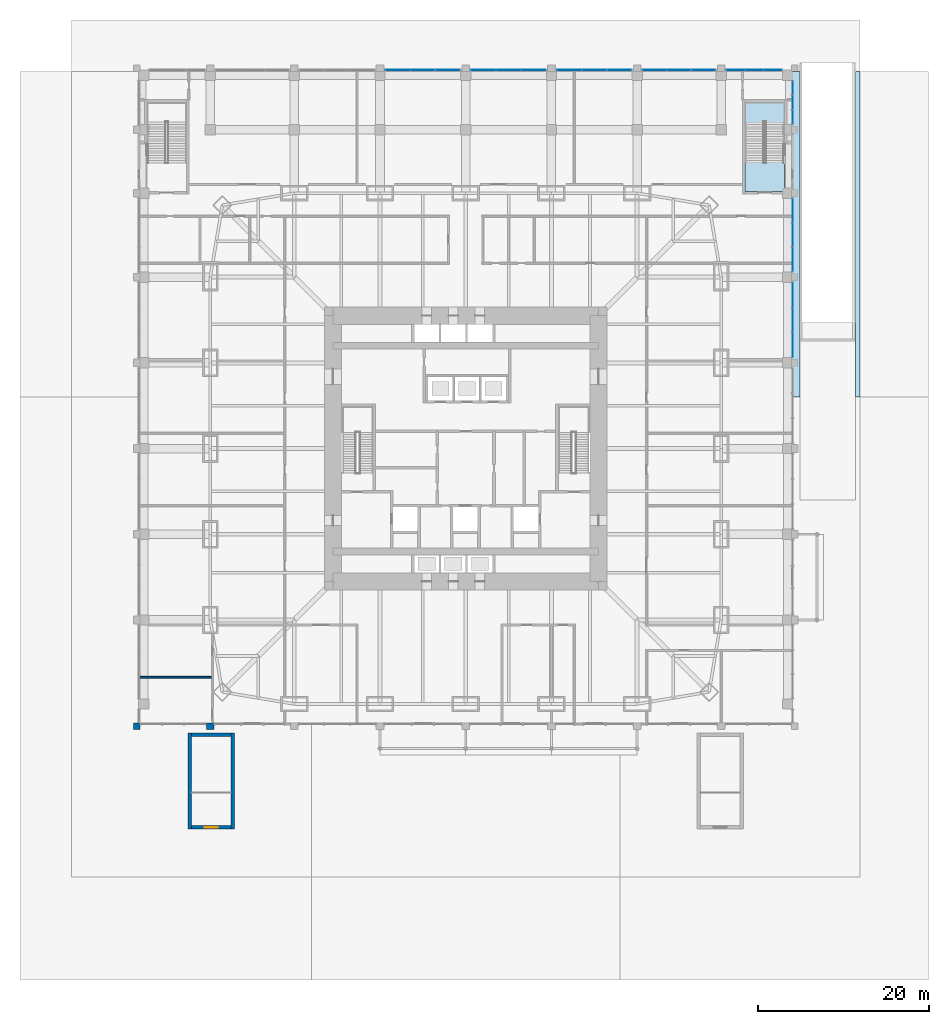
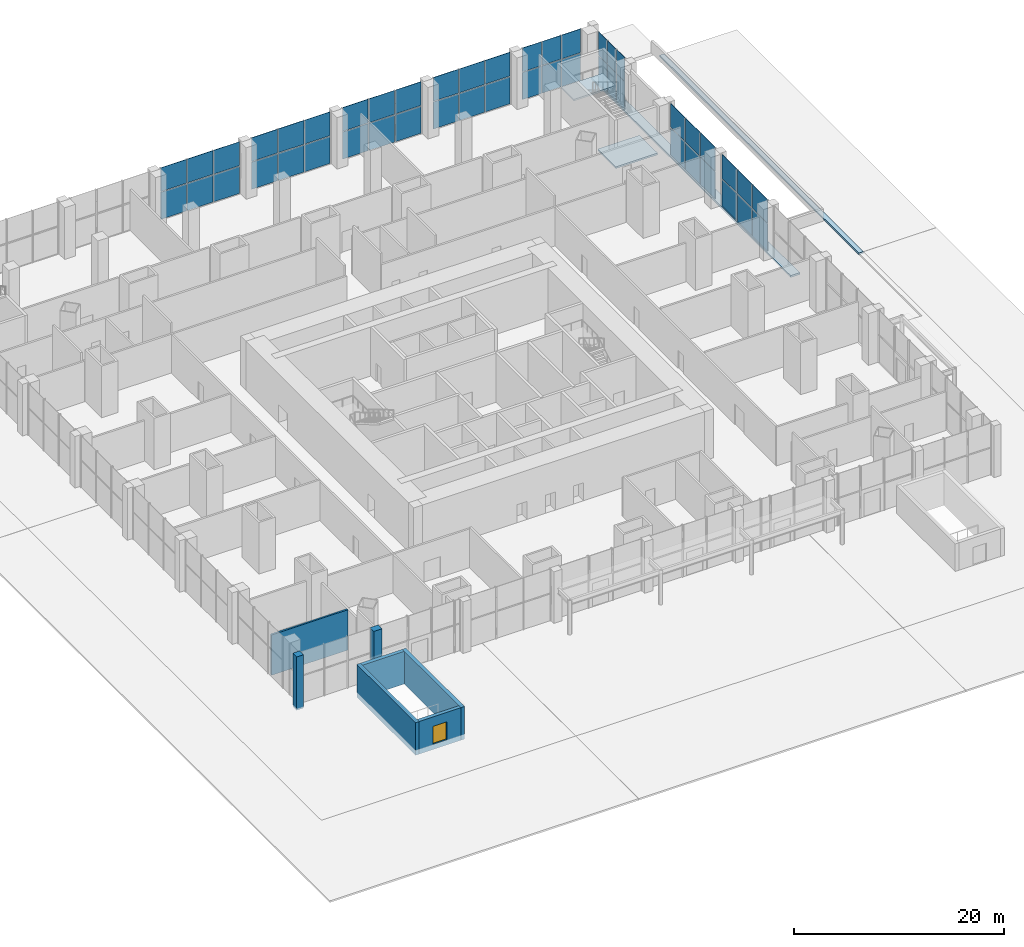
# One storey, part 21 of 31: 48 plates, 7 walls, 4 slabs, 1 door, 1 opening, 9 elements without a shape of their own.
"""IFC4 building model written with IfcOpenShell, lengths in metres."""

import ifcopenshell
import ifcopenshell.guid

model = None  # the IFC model being written
_history = None  # IfcOwnerHistory: only IFC2X3 demands one
_inside = {}  # id of a spatial element -> (the spatial element, [elements in it])
_under = {}  # id of a project, library or spatial element -> (it, [spatial elements below it])
_declared = {}  # id of a project -> (the project, [libraries it declares])
_typed = {}  # id of a type object -> (the type object, [elements of that type])
_made_of = {}  # id of a material, layer set ... -> (it, [elements and type objects made of it])


def new_model(schema):
    """Start an empty IFC model of exactly this schema.

    Asked for "IFC4X3", IfcOpenShell would pick the latest addendum, in which some entities
    have other attributes; the version numbers below select the first issue.
    IFC2X3 requires an IfcOwnerHistory on every rooted entity: one is made here for all.
    """
    global model, _history
    if schema == "IFC4X3":
        model = ifcopenshell.file(schema_version=(4, 3, 0, 0))
    else:
        model = ifcopenshell.file(schema=schema)
    _inside.clear()
    _under.clear()
    _declared.clear()
    _typed.clear()
    _made_of.clear()
    _history = None
    if model.schema == "IFC2X3":
        org = make("IfcOrganization", Name="unknown")
        user = make(
            "IfcPersonAndOrganization",
            ThePerson=make("IfcPerson", FamilyName="unknown"),
            TheOrganization=org,
        )
        app = make(
            "IfcApplication",
            ApplicationDeveloper=org,
            Version="unknown",
            ApplicationFullName="unknown",
            ApplicationIdentifier="unknown",
        )
        _history = make(
            "IfcOwnerHistory",
            OwningUser=user,
            OwningApplication=app,
            ChangeAction="ADDED",
            CreationDate=0,
        )
    return model


def make(cls, **values):
    """One entity of the class cls with the attributes given. An attribute that is None is left unset."""
    return model.create_entity(
        cls, **{name: value for name, value in values.items() if value is not None}
    )


def rooted(cls, **values):
    """An entity with a GlobalId (a new one), such as an element, a storey or a relation."""
    return make(cls, GlobalId=ifcopenshell.guid.new(), OwnerHistory=_history, **values)


def si_unit(unit_type, name, prefix=None):
    """IfcSIUnit, for example si_unit("LENGTHUNIT", "METRE", prefix="MILLI")."""
    return make("IfcSIUnit", UnitType=unit_type, Prefix=prefix, Name=name)


def assignment(units):
    """IfcUnitAssignment: the units of a project."""
    return None if units is None else make("IfcUnitAssignment", Units=units)


def point(xyz):
    """IfcCartesianPoint."""
    return None if xyz is None else make("IfcCartesianPoint", Coordinates=xyz)


def direction(xyz):
    """IfcDirection."""
    return None if xyz is None else make("IfcDirection", DirectionRatios=xyz)


def frame(location, z_axis=None, x_axis=None):
    """IfcAxis2Placement3D, a coordinate frame: its origin and axes. An axis left out is left unset."""
    return make(
        "IfcAxis2Placement3D",
        Location=point(location),
        Axis=direction(z_axis),
        RefDirection=direction(x_axis),
    )


def frame_2d(location, x_axis=None):
    """IfcAxis2Placement2D, a coordinate frame in the plane: its origin and x axis."""
    return make(
        "IfcAxis2Placement2D", Location=point(location), RefDirection=direction(x_axis)
    )


def origin():
    """The frame at (0, 0, 0) with its axes left unset."""
    return frame((0.0, 0.0, 0.0))


def origin_2d():
    """The frame at (0, 0) in the plane with its x axis left unset."""
    return frame_2d((0.0, 0.0))


def place(relative_to, where):
    """IfcLocalPlacement: puts the frame where relative to a parent placement (None: the world)."""
    return make(
        "IfcLocalPlacement", PlacementRelTo=relative_to, RelativePlacement=where
    )


def context(
    kind, dimensions, precision=None, world=None, true_north=None, identifier=None
):
    """IfcGeometricRepresentationContext, for example the 3D "Model" context."""
    return make(
        "IfcGeometricRepresentationContext",
        ContextIdentifier=identifier,
        ContextType=kind,
        CoordinateSpaceDimension=dimensions,
        Precision=precision,
        WorldCoordinateSystem=world,
        TrueNorth=true_north,
    )


def subcontext(parent, identifier, kind, view, scale=None):
    """IfcGeometricRepresentationSubContext, for example "Body" below "Model"."""
    return make(
        "IfcGeometricRepresentationSubContext",
        ContextIdentifier=identifier,
        ContextType=kind,
        ParentContext=parent,
        TargetScale=scale,
        TargetView=view,
    )


def project(units=None, contexts=None):
    """IfcProject with its units and contexts."""
    return rooted(
        "IfcProject",
        Name="project",
        RepresentationContexts=contexts,
        UnitsInContext=assignment(units),
    )


def spatial(cls, under=None, at=None, **own):
    """A site, building, storey or space (cls), placed at a placement, below another one or the project."""
    s = rooted(cls, ObjectPlacement=at, **own)
    if under is not None:
        _under.setdefault(under.id(), (under, []))[1].append(s)
    return s


def polyline(points):
    """IfcPolyline through the points."""
    return make("IfcPolyline", Points=[point(p) for p in points])


def profile(cls, at=None, kind="AREA", **sizes):
    """A parametric profile (cls). Its sizes go by their IFC names, for example OverallWidth=200.0."""
    return make(cls, ProfileType=kind, Position=at, **sizes)


def rectangle(**sizes):
    """IfcRectangleProfileDef."""
    return profile("IfcRectangleProfileDef", **sizes)


def outline(outer, holes=None, kind="AREA"):
    """IfcArbitraryClosedProfileDef: a profile drawn as a closed curve; with holes, ...WithVoids."""
    if holes is None:
        return make("IfcArbitraryClosedProfileDef", ProfileType=kind, OuterCurve=outer)
    return make(
        "IfcArbitraryProfileDefWithVoids",
        ProfileType=kind,
        OuterCurve=outer,
        InnerCurves=holes,
    )


def extrude(swept, where, along, depth):
    """IfcExtrudedAreaSolid: the profile swept, set in the frame where, extruded along a direction by depth."""
    return make(
        "IfcExtrudedAreaSolid",
        SweptArea=swept,
        Position=where,
        ExtrudedDirection=direction(along),
        Depth=depth,
    )


def shape(context_of_items, identifier, shape_type, items):
    """IfcShapeRepresentation: the items that make up one representation, for example the "Body"."""
    return make(
        "IfcShapeRepresentation",
        ContextOfItems=context_of_items,
        RepresentationIdentifier=identifier,
        RepresentationType=shape_type,
        Items=items,
    )


def material(Name=None, Category=None):
    """IfcMaterial."""
    return make("IfcMaterial", Name=Name, Category=Category)


def layer(
    of_material, thickness, ventilated=None, Name=None, Category=None, Priority=None
):
    """IfcMaterialLayer: one layer of a wall or slab, of a material (None: an air gap)."""
    return make(
        "IfcMaterialLayer",
        Material=of_material,
        LayerThickness=thickness,
        IsVentilated=ventilated,
        Name=Name,
        Category=Category,
        Priority=Priority,
    )


def layer_set(layers, Name=None):
    """IfcMaterialLayerSet."""
    return make("IfcMaterialLayerSet", MaterialLayers=layers, LayerSetName=Name)


def made_of(thing, what):
    """Note that an element or type object is made of a material, layer set ...; save() writes the relation."""
    if what is not None:
        _made_of.setdefault(what.id(), (what, []))[1].append(thing)
    return thing


def type_object(cls, material=None, **own):
    """A type object (cls), such as IfcWallType, which elements share."""
    return made_of(rooted(cls, **own), material)


def element(
    cls,
    number,
    at=None,
    inside=None,
    cuts=None,
    type_object=None,
    material=None,
    context=None,
    identifier="Body",
    shape_type=None,
    held_by="IfcProductDefinitionShape",
    body=None,
    shapes=None,
    **own,
):
    """One element of the class cls, such as IfcWall. Its Tag is "e" and its number.

    at: its placement. inside: the storey or other place that contains it. cuts: it is an
    opening in that element (IfcRelVoidsElement). A single representation is given by context,
    identifier, shape_type and body (its items); several are given by shapes. held_by: the class
    of the entity that holds the representations. save() writes the other relations.
    """
    e = rooted(cls, Tag="e%d" % number, ObjectPlacement=at, **own)
    if body is not None:
        shapes = [shape(context, identifier, shape_type, body)]
    if shapes is not None:
        e.Representation = make(held_by, Representations=shapes)
    if inside is not None:
        _inside.setdefault(inside.id(), (inside, []))[1].append(e)
    if cuts is not None:
        rooted(
            "IfcRelVoidsElement", RelatingBuildingElement=cuts, RelatedOpeningElement=e
        )
    if type_object is not None:
        _typed.setdefault(type_object.id(), (type_object, []))[1].append(e)
    return made_of(e, material)


def fill(opening, filler):
    """IfcRelFillsElement: the door or window that sits in an opening."""
    return rooted(
        "IfcRelFillsElement",
        RelatingOpeningElement=opening,
        RelatedBuildingElement=filler,
    )


def aggregate(whole, parts):
    """IfcRelAggregates: a whole, such as a stair, and the parts it consists of."""
    return rooted("IfcRelAggregates", RelatingObject=whole, RelatedObjects=parts)


def save(model, path):
    """Write the relations noted so far, then the file.

    IfcRelAggregates (storeys below a building ...), IfcRelContainedInSpatialStructure (elements
    in a storey), IfcRelDefinesByType, IfcRelAssociatesMaterial and IfcRelDeclares: one each for
    every whole, place, type object, material and project.
    """
    for whole, parts in _under.values():
        aggregate(whole, parts)
    for where, things in _inside.values():
        rooted(
            "IfcRelContainedInSpatialStructure",
            RelatedElements=things,
            RelatingStructure=where,
        )
    for kind, things in _typed.values():
        rooted("IfcRelDefinesByType", RelatedObjects=things, RelatingType=kind)
    for what, things in _made_of.values():
        rooted("IfcRelAssociatesMaterial", RelatedObjects=things, RelatingMaterial=what)
    for by, libraries in _declared.values():
        rooted("IfcRelDeclares", RelatingContext=by, RelatedDefinitions=libraries)
    model.write(path)


model = new_model("IFC4")

# Units and contexts
model_context = context("Model", 3, precision=1e-05, world=origin(), true_north=direction((0.0, 1.0)))
body_context = subcontext(model_context, "Body", "Model", "MODEL_VIEW")
ifc_project = project(units=[si_unit("LENGTHUNIT", "METRE"), si_unit("AREAUNIT", "SQUARE_METRE"), si_unit("VOLUMEUNIT", "CUBIC_METRE"), si_unit("PLANEANGLEUNIT", "RADIAN"), si_unit("MASSUNIT", "GRAM", prefix="KILO")], contexts=[model_context])

# Site, building, storey
site_placement = place(None, origin())
site = spatial("IfcSite", under=ifc_project, at=site_placement, CompositionType="ELEMENT")
building_placement = place(site_placement, origin())
building = spatial("IfcBuilding", under=site, at=building_placement, Name="Khuree Lantern Residences", CompositionType="ELEMENT")
storey_placement = place(building_placement, origin())
storey = spatial("IfcBuildingStorey", under=building, at=storey_placement, Name="L00", CompositionType="ELEMENT", Elevation=0.0)

# Slabs
ifc_material_1 = material(Name="Flamed granite setts on pedestals over the deck", Category="masonry")
ifc_layer_1 = layer(ifc_material_1, 0.199951171875)
ifc_layer_set_1 = layer_set([ifc_layer_1], Name="PLAZA PAVING")
slab_type_1 = type_object("IfcSlabType", Name="PLAZA PAVING", PredefinedType="USERDEFINED", material=ifc_layer_set_1)
slab_1_placement = place(storey_placement, frame((0.0, 0.0, -0.199951171875)))
element("IfcSlab", 1, at=slab_1_placement, inside=storey, type_object=slab_type_1, Name="PLAZA PAVING BAY 5", ObjectType="PAVING", PredefinedType="USERDEFINED", context=body_context, shape_type="SweptSolid", body=[
    extrude(outline(polyline([(38.0, 44.0), (39.0, 44.0), (39.0, 6.0048828125), (38.0, 6.0048828125), (38.0, 44.0)])), origin(), (0.0, 0.0, 1.0), 0.199951171875),
])
slab_2_placement = place(storey_placement, frame((0.0, 0.0, -0.199951171875)))
element("IfcSlab", 2, at=slab_2_placement, inside=storey, type_object=slab_type_1, Name="PLAZA PAVING BAY 6", ObjectType="PAVING", PredefinedType="USERDEFINED", context=body_context, shape_type="SweptSolid", body=[
    extrude(outline(polyline([(45.5, 44.0), (46.0, 44.0), (46.0, 6.0048828125), (45.5, 6.0048828125), (45.5, 44.0)])), origin(), (0.0, 0.0, 1.0), 0.199951171875),
])

# Stair, slabs
ifc_material_2 = material(Name="Concrete C40/50", Category="concrete")
stair_type = type_object("IfcStairType", Name="STAIR ST3 HALF TURN 4600", PredefinedType="HALF_TURN_STAIR", material=ifc_material_2)
stair_placement = place(storey_placement, origin())
stair = element("IfcStair", 3, at=stair_placement, inside=storey, type_object=stair_type, Name="Stair ST4", PredefinedType="HALF_TURN_STAIR")
ifc_layer_2 = layer(ifc_material_2, 0.199951171875)
ifc_layer_set_2 = layer_set([ifc_layer_2], Name="STAIR LANDING SL1 200")
slab_type_2 = type_object("IfcSlabType", Name="STAIR LANDING SL1 200", PredefinedType="LANDING", material=ifc_layer_set_2)
slab_3_placement = place(storey_placement, frame((0.0, 0.0, -0.199951171875)))
slab_3 = element("IfcSlab", 4, at=slab_3_placement, type_object=slab_type_2, Name="ST4 landing 1", PredefinedType="LANDING", context=body_context, shape_type="SweptSolid", body=[
    extrude(outline(polyline([(32.60009765625, 30.0), (37.199951171875, 30.0), (37.199951171875, 33.43994140625), (32.60009765625, 33.43994140625), (32.60009765625, 30.0)])), origin(), (0.0, 0.0, 1.0), 0.199951171875),
])
slab_4_placement = place(storey_placement, frame((0.0, 0.0, 2.800048828125)))
slab_4 = element("IfcSlab", 5, at=slab_4_placement, type_object=slab_type_2, Name="ST4 landing 2", PredefinedType="LANDING", context=body_context, shape_type="SweptSolid", body=[
    extrude(outline(polyline([(37.199951171875, 40.39990234375), (37.199951171875, 38.0), (32.60009765625, 38.0), (32.60009765625, 40.39990234375), (37.199951171875, 40.39990234375)])), origin(), (0.0, 0.0, 1.0), 0.199951171875),
])
aggregate(stair, [slab_3, slab_4])

# Curtain wall, plates
ifc_material_3 = material(Name="Bronze anodised aluminium", Category="aluminium")
curtain_wall_type = type_object("IfcCurtainWallType", Name="CW-P PODIUM STOREFRONT CURTAIN WALL", PredefinedType="USERDEFINED", material=ifc_material_3)
curtain_wall_1_placement = place(storey_placement, origin())
curtain_wall_1 = element("IfcCurtainWall", 6, at=curtain_wall_1_placement, inside=storey, type_object=curtain_wall_type, Name="L00 EAST FACE BAY 5 STOREFRONT", ObjectType="Storefront curtain wall", PredefinedType="USERDEFINED")
ifc_material_4 = material(Name="Bronze tinted laminated triple glazing", Category="glass")
ifc_layer_3 = layer(ifc_material_4, 0.0400390625)
ifc_layer_set_3 = layer_set([ifc_layer_3], Name="STOREFRONT GLASS PANEL P9")
plate_type = type_object("IfcPlateType", Name="STOREFRONT GLASS PANEL P9", PredefinedType="CURTAIN_PANEL", material=ifc_layer_set_3)
plate_1_placement = place(storey_placement, frame((38.14990234375, 12.091552734375, 0.0), z_axis=(0.0, 0.0, 1.0), x_axis=(0.0, 1.0, 0.0)))
plate_1 = element("IfcPlate", 7, at=plate_1_placement, type_object=plate_type, Name="L00 EAST FACE BAY 5 PANEL 1.1", PredefinedType="CURTAIN_PANEL", context=body_context, shape_type="SweptSolid", body=[
    extrude(rectangle(XDim=2.833251953125, YDim=0.0400390625, at=origin_2d()), origin(), (0.0, 0.0, 1.0), 3.16259765625),
])
plate_2_placement = place(storey_placement, frame((38.14990234375, 12.091552734375, 3.2373046875), z_axis=(0.0, 0.0, 1.0), x_axis=(0.0, 1.0, 0.0)))
plate_2 = element("IfcPlate", 8, at=plate_2_placement, type_object=plate_type, Name="L00 EAST FACE BAY 5 PANEL 1.2", PredefinedType="CURTAIN_PANEL", context=body_context, shape_type="SweptSolid", body=[
    extrude(rectangle(XDim=2.833251953125, YDim=0.0400390625, at=origin_2d()), origin(), (0.0, 0.0, 1.0), 2.762451171875),
])
plate_3_placement = place(storey_placement, frame((38.14990234375, 15.0, 0.0), z_axis=(0.0, 0.0, 1.0), x_axis=(0.0, 1.0, 0.0)))
plate_3 = element("IfcPlate", 9, at=plate_3_placement, type_object=plate_type, Name="L00 EAST FACE BAY 5 PANEL 2.1", PredefinedType="CURTAIN_PANEL", context=body_context, shape_type="SweptSolid", body=[
    extrude(rectangle(XDim=2.833251953125, YDim=0.0400390625, at=origin_2d()), origin(), (0.0, 0.0, 1.0), 3.16259765625),
])
plate_4_placement = place(storey_placement, frame((38.14990234375, 15.0, 3.2373046875), z_axis=(0.0, 0.0, 1.0), x_axis=(0.0, 1.0, 0.0)))
plate_4 = element("IfcPlate", 10, at=plate_4_placement, type_object=plate_type, Name="L00 EAST FACE BAY 5 PANEL 2.2", PredefinedType="CURTAIN_PANEL", context=body_context, shape_type="SweptSolid", body=[
    extrude(rectangle(XDim=2.833251953125, YDim=0.0400390625, at=origin_2d()), origin(), (0.0, 0.0, 1.0), 2.762451171875),
])
plate_5_placement = place(storey_placement, frame((38.14990234375, 17.908447265625, 0.0), z_axis=(0.0, 0.0, 1.0), x_axis=(0.0, 1.0, 0.0)))
plate_5 = element("IfcPlate", 11, at=plate_5_placement, type_object=plate_type, Name="L00 EAST FACE BAY 5 PANEL 3.1", PredefinedType="CURTAIN_PANEL", context=body_context, shape_type="SweptSolid", body=[
    extrude(rectangle(XDim=2.833251953125, YDim=0.0400390625, at=origin_2d()), origin(), (0.0, 0.0, 1.0), 3.16259765625),
])
plate_6_placement = place(storey_placement, frame((38.14990234375, 17.908447265625, 3.2373046875), z_axis=(0.0, 0.0, 1.0), x_axis=(0.0, 1.0, 0.0)))
plate_6 = element("IfcPlate", 12, at=plate_6_placement, type_object=plate_type, Name="L00 EAST FACE BAY 5 PANEL 3.2", PredefinedType="CURTAIN_PANEL", context=body_context, shape_type="SweptSolid", body=[
    extrude(rectangle(XDim=2.833251953125, YDim=0.0400390625, at=origin_2d()), origin(), (0.0, 0.0, 1.0), 2.762451171875),
])
aggregate(curtain_wall_1, [plate_1, plate_2, plate_3, plate_4, plate_5, plate_6])

curtain_wall_2_placement = place(storey_placement, origin())
curtain_wall_2 = element("IfcCurtainWall", 13, at=curtain_wall_2_placement, inside=storey, type_object=curtain_wall_type, Name="L00 EAST FACE BAY 6 STOREFRONT", ObjectType="Storefront curtain wall", PredefinedType="USERDEFINED")
plate_7_placement = place(storey_placement, frame((38.14990234375, 22.058349609375, 0.0), z_axis=(0.0, 0.0, 1.0), x_axis=(0.0, 1.0, 0.0)))
plate_7 = element("IfcPlate", 14, at=plate_7_placement, type_object=plate_type, Name="L00 EAST FACE BAY 6 PANEL 1.1", PredefinedType="CURTAIN_PANEL", context=body_context, shape_type="SweptSolid", body=[
    extrude(rectangle(XDim=2.7666015625, YDim=0.0400390625, at=origin_2d()), origin(), (0.0, 0.0, 1.0), 3.16259765625),
])
plate_8_placement = place(storey_placement, frame((38.14990234375, 22.058349609375, 3.2373046875), z_axis=(0.0, 0.0, 1.0), x_axis=(0.0, 1.0, 0.0)))
plate_8 = element("IfcPlate", 15, at=plate_8_placement, type_object=plate_type, Name="L00 EAST FACE BAY 6 PANEL 1.2", PredefinedType="CURTAIN_PANEL", context=body_context, shape_type="SweptSolid", body=[
    extrude(rectangle(XDim=2.7666015625, YDim=0.0400390625, at=origin_2d()), origin(), (0.0, 0.0, 1.0), 2.762451171875),
])
plate_9_placement = place(storey_placement, frame((38.14990234375, 24.89990234375, 0.0), z_axis=(0.0, 0.0, 1.0), x_axis=(0.0, 1.0, 0.0)))
plate_9 = element("IfcPlate", 16, at=plate_9_placement, type_object=plate_type, Name="L00 EAST FACE BAY 6 PANEL 2.1", PredefinedType="CURTAIN_PANEL", context=body_context, shape_type="SweptSolid", body=[
    extrude(rectangle(XDim=2.7666015625, YDim=0.0400390625, at=origin_2d()), origin(), (0.0, 0.0, 1.0), 3.16259765625),
])
plate_10_placement = place(storey_placement, frame((38.14990234375, 24.89990234375, 3.2373046875), z_axis=(0.0, 0.0, 1.0), x_axis=(0.0, 1.0, 0.0)))
plate_10 = element("IfcPlate", 17, at=plate_10_placement, type_object=plate_type, Name="L00 EAST FACE BAY 6 PANEL 2.2", PredefinedType="CURTAIN_PANEL", context=body_context, shape_type="SweptSolid", body=[
    extrude(rectangle(XDim=2.7666015625, YDim=0.0400390625, at=origin_2d()), origin(), (0.0, 0.0, 1.0), 2.762451171875),
])
plate_11_placement = place(storey_placement, frame((38.14990234375, 27.74169921875, 0.0), z_axis=(0.0, 0.0, 1.0), x_axis=(0.0, 1.0, 0.0)))
plate_11 = element("IfcPlate", 18, at=plate_11_placement, type_object=plate_type, Name="L00 EAST FACE BAY 6 PANEL 3.1", PredefinedType="CURTAIN_PANEL", context=body_context, shape_type="SweptSolid", body=[
    extrude(rectangle(XDim=2.7666015625, YDim=0.0400390625, at=origin_2d()), origin(), (0.0, 0.0, 1.0), 3.16259765625),
])
plate_12_placement = place(storey_placement, frame((38.14990234375, 27.74169921875, 3.2373046875), z_axis=(0.0, 0.0, 1.0), x_axis=(0.0, 1.0, 0.0)))
plate_12 = element("IfcPlate", 19, at=plate_12_placement, type_object=plate_type, Name="L00 EAST FACE BAY 6 PANEL 3.2", PredefinedType="CURTAIN_PANEL", context=body_context, shape_type="SweptSolid", body=[
    extrude(rectangle(XDim=2.7666015625, YDim=0.0400390625, at=origin_2d()), origin(), (0.0, 0.0, 1.0), 2.762451171875),
])
aggregate(curtain_wall_2, [plate_7, plate_8, plate_9, plate_10, plate_11, plate_12])

curtain_wall_3_placement = place(storey_placement, origin())
curtain_wall_3 = element("IfcCurtainWall", 20, at=curtain_wall_3_placement, inside=storey, type_object=curtain_wall_type, Name="L00 EAST FACE BAY 8 STOREFRONT", ObjectType="Storefront curtain wall", PredefinedType="USERDEFINED")
plate_13_placement = place(storey_placement, frame((38.14990234375, 38.683349609375, 0.0), z_axis=(0.0, 0.0, 1.0), x_axis=(0.0, 1.0, 0.0)))
plate_13 = element("IfcPlate", 21, at=plate_13_placement, type_object=plate_type, Name="L00 EAST FACE BAY 8 PANEL 1.1", PredefinedType="CURTAIN_PANEL", context=body_context, shape_type="SweptSolid", body=[
    extrude(rectangle(XDim=1.61669921875, YDim=0.0400390625, at=origin_2d()), origin(), (0.0, 0.0, 1.0), 3.16259765625),
])
plate_14_placement = place(storey_placement, frame((38.14990234375, 38.683349609375, 3.2373046875), z_axis=(0.0, 0.0, 1.0), x_axis=(0.0, 1.0, 0.0)))
plate_14 = element("IfcPlate", 22, at=plate_14_placement, type_object=plate_type, Name="L00 EAST FACE BAY 8 PANEL 1.2", PredefinedType="CURTAIN_PANEL", context=body_context, shape_type="SweptSolid", body=[
    extrude(rectangle(XDim=1.61669921875, YDim=0.0400390625, at=origin_2d()), origin(), (0.0, 0.0, 1.0), 2.762451171875),
])
plate_15_placement = place(storey_placement, frame((38.14990234375, 40.375, 0.0), z_axis=(0.0, 0.0, 1.0), x_axis=(0.0, 1.0, 0.0)))
plate_15 = element("IfcPlate", 23, at=plate_15_placement, type_object=plate_type, Name="L00 EAST FACE BAY 8 PANEL 2.1", PredefinedType="CURTAIN_PANEL", context=body_context, shape_type="SweptSolid", body=[
    extrude(rectangle(XDim=1.61669921875, YDim=0.0400390625, at=origin_2d()), origin(), (0.0, 0.0, 1.0), 3.16259765625),
])
plate_16_placement = place(storey_placement, frame((38.14990234375, 40.375, 3.2373046875), z_axis=(0.0, 0.0, 1.0), x_axis=(0.0, 1.0, 0.0)))
plate_16 = element("IfcPlate", 24, at=plate_16_placement, type_object=plate_type, Name="L00 EAST FACE BAY 8 PANEL 2.2", PredefinedType="CURTAIN_PANEL", context=body_context, shape_type="SweptSolid", body=[
    extrude(rectangle(XDim=1.61669921875, YDim=0.0400390625, at=origin_2d()), origin(), (0.0, 0.0, 1.0), 2.762451171875),
])
plate_17_placement = place(storey_placement, frame((38.14990234375, 42.066650390625, 0.0), z_axis=(0.0, 0.0, 1.0), x_axis=(0.0, 1.0, 0.0)))
plate_17 = element("IfcPlate", 25, at=plate_17_placement, type_object=plate_type, Name="L00 EAST FACE BAY 8 PANEL 3.1", PredefinedType="CURTAIN_PANEL", context=body_context, shape_type="SweptSolid", body=[
    extrude(rectangle(XDim=1.61669921875, YDim=0.0400390625, at=origin_2d()), origin(), (0.0, 0.0, 1.0), 3.16259765625),
])
plate_18_placement = place(storey_placement, frame((38.14990234375, 42.066650390625, 3.2373046875), z_axis=(0.0, 0.0, 1.0), x_axis=(0.0, 1.0, 0.0)))
plate_18 = element("IfcPlate", 26, at=plate_18_placement, type_object=plate_type, Name="L00 EAST FACE BAY 8 PANEL 3.2", PredefinedType="CURTAIN_PANEL", context=body_context, shape_type="SweptSolid", body=[
    extrude(rectangle(XDim=1.61669921875, YDim=0.0400390625, at=origin_2d()), origin(), (0.0, 0.0, 1.0), 2.762451171875),
])
aggregate(curtain_wall_3, [plate_13, plate_14, plate_15, plate_16, plate_17, plate_18])

curtain_wall_4_placement = place(storey_placement, origin())
curtain_wall_4 = element("IfcCurtainWall", 27, at=curtain_wall_4_placement, inside=storey, type_object=curtain_wall_type, Name="L00 NORTH FACE BAY 1 STOREFRONT", ObjectType="Storefront curtain wall", PredefinedType="USERDEFINED")
plate_19_placement = place(storey_placement, frame((35.833251953125, 44.14990234375, 0.0), z_axis=(0.0, 0.0, 1.0), x_axis=(-1.0, 0.0, 0.0)))
plate_19 = element("IfcPlate", 28, at=plate_19_placement, type_object=plate_type, Name="L00 NORTH FACE BAY 1 PANEL 1.1", PredefinedType="CURTAIN_PANEL", context=body_context, shape_type="SweptSolid", body=[
    extrude(rectangle(XDim=2.083251953125, YDim=0.0400390625, at=origin_2d()), origin(), (0.0, 0.0, 1.0), 3.16259765625),
])
plate_20_placement = place(storey_placement, frame((35.833251953125, 44.14990234375, 3.2373046875), z_axis=(0.0, 0.0, 1.0), x_axis=(-1.0, 0.0, 0.0)))
plate_20 = element("IfcPlate", 29, at=plate_20_placement, type_object=plate_type, Name="L00 NORTH FACE BAY 1 PANEL 1.2", PredefinedType="CURTAIN_PANEL", context=body_context, shape_type="SweptSolid", body=[
    extrude(rectangle(XDim=2.083251953125, YDim=0.0400390625, at=origin_2d()), origin(), (0.0, 0.0, 1.0), 2.762451171875),
])
plate_21_placement = place(storey_placement, frame((33.675048828125, 44.14990234375, 0.0), z_axis=(0.0, 0.0, 1.0), x_axis=(-1.0, 0.0, 0.0)))
plate_21 = element("IfcPlate", 30, at=plate_21_placement, type_object=plate_type, Name="L00 NORTH FACE BAY 1 PANEL 2.1", PredefinedType="CURTAIN_PANEL", context=body_context, shape_type="SweptSolid", body=[
    extrude(rectangle(XDim=2.083251953125, YDim=0.0400390625, at=origin_2d()), origin(), (0.0, 0.0, 1.0), 3.16259765625),
])
plate_22_placement = place(storey_placement, frame((33.675048828125, 44.14990234375, 3.2373046875), z_axis=(0.0, 0.0, 1.0), x_axis=(-1.0, 0.0, 0.0)))
plate_22 = element("IfcPlate", 31, at=plate_22_placement, type_object=plate_type, Name="L00 NORTH FACE BAY 1 PANEL 2.2", PredefinedType="CURTAIN_PANEL", context=body_context, shape_type="SweptSolid", body=[
    extrude(rectangle(XDim=2.083251953125, YDim=0.0400390625, at=origin_2d()), origin(), (0.0, 0.0, 1.0), 2.762451171875),
])
plate_23_placement = place(storey_placement, frame((31.5166015625, 44.14990234375, 0.0), z_axis=(0.0, 0.0, 1.0), x_axis=(-1.0, 0.0, 0.0)))
plate_23 = element("IfcPlate", 32, at=plate_23_placement, type_object=plate_type, Name="L00 NORTH FACE BAY 1 PANEL 3.1", PredefinedType="CURTAIN_PANEL", context=body_context, shape_type="SweptSolid", body=[
    extrude(rectangle(XDim=2.083251953125, YDim=0.0400390625, at=origin_2d()), origin(), (0.0, 0.0, 1.0), 3.16259765625),
])
plate_24_placement = place(storey_placement, frame((31.5166015625, 44.14990234375, 3.2373046875), z_axis=(0.0, 0.0, 1.0), x_axis=(-1.0, 0.0, 0.0)))
plate_24 = element("IfcPlate", 33, at=plate_24_placement, type_object=plate_type, Name="L00 NORTH FACE BAY 1 PANEL 3.2", PredefinedType="CURTAIN_PANEL", context=body_context, shape_type="SweptSolid", body=[
    extrude(rectangle(XDim=2.083251953125, YDim=0.0400390625, at=origin_2d()), origin(), (0.0, 0.0, 1.0), 2.762451171875),
])
aggregate(curtain_wall_4, [plate_19, plate_20, plate_21, plate_22, plate_23, plate_24])

curtain_wall_5_placement = place(storey_placement, origin())
curtain_wall_5 = element("IfcCurtainWall", 34, at=curtain_wall_5_placement, inside=storey, type_object=curtain_wall_type, Name="L00 NORTH FACE BAY 2 STOREFRONT", ObjectType="Storefront curtain wall", PredefinedType="USERDEFINED")
plate_25_placement = place(storey_placement, frame((27.74169921875, 44.14990234375, 0.0), z_axis=(0.0, 0.0, 1.0), x_axis=(-1.0, 0.0, 0.0)))
plate_25 = element("IfcPlate", 35, at=plate_25_placement, type_object=plate_type, Name="L00 NORTH FACE BAY 2 PANEL 1.1", PredefinedType="CURTAIN_PANEL", context=body_context, shape_type="SweptSolid", body=[
    extrude(rectangle(XDim=2.7666015625, YDim=0.0400390625, at=origin_2d()), origin(), (0.0, 0.0, 1.0), 3.16259765625),
])
plate_26_placement = place(storey_placement, frame((27.74169921875, 44.14990234375, 3.2373046875), z_axis=(0.0, 0.0, 1.0), x_axis=(-1.0, 0.0, 0.0)))
plate_26 = element("IfcPlate", 36, at=plate_26_placement, type_object=plate_type, Name="L00 NORTH FACE BAY 2 PANEL 1.2", PredefinedType="CURTAIN_PANEL", context=body_context, shape_type="SweptSolid", body=[
    extrude(rectangle(XDim=2.7666015625, YDim=0.0400390625, at=origin_2d()), origin(), (0.0, 0.0, 1.0), 2.762451171875),
])
plate_27_placement = place(storey_placement, frame((24.89990234375, 44.14990234375, 0.0), z_axis=(0.0, 0.0, 1.0), x_axis=(-1.0, 0.0, 0.0)))
plate_27 = element("IfcPlate", 37, at=plate_27_placement, type_object=plate_type, Name="L00 NORTH FACE BAY 2 PANEL 2.1", PredefinedType="CURTAIN_PANEL", context=body_context, shape_type="SweptSolid", body=[
    extrude(rectangle(XDim=2.7666015625, YDim=0.0400390625, at=origin_2d()), origin(), (0.0, 0.0, 1.0), 3.16259765625),
])
plate_28_placement = place(storey_placement, frame((24.89990234375, 44.14990234375, 3.2373046875), z_axis=(0.0, 0.0, 1.0), x_axis=(-1.0, 0.0, 0.0)))
plate_28 = element("IfcPlate", 38, at=plate_28_placement, type_object=plate_type, Name="L00 NORTH FACE BAY 2 PANEL 2.2", PredefinedType="CURTAIN_PANEL", context=body_context, shape_type="SweptSolid", body=[
    extrude(rectangle(XDim=2.7666015625, YDim=0.0400390625, at=origin_2d()), origin(), (0.0, 0.0, 1.0), 2.762451171875),
])
plate_29_placement = place(storey_placement, frame((22.058349609375, 44.14990234375, 0.0), z_axis=(0.0, 0.0, 1.0), x_axis=(-1.0, 0.0, 0.0)))
plate_29 = element("IfcPlate", 39, at=plate_29_placement, type_object=plate_type, Name="L00 NORTH FACE BAY 2 PANEL 3.1", PredefinedType="CURTAIN_PANEL", context=body_context, shape_type="SweptSolid", body=[
    extrude(rectangle(XDim=2.7666015625, YDim=0.0400390625, at=origin_2d()), origin(), (0.0, 0.0, 1.0), 3.16259765625),
])
plate_30_placement = place(storey_placement, frame((22.058349609375, 44.14990234375, 3.2373046875), z_axis=(0.0, 0.0, 1.0), x_axis=(-1.0, 0.0, 0.0)))
plate_30 = element("IfcPlate", 40, at=plate_30_placement, type_object=plate_type, Name="L00 NORTH FACE BAY 2 PANEL 3.2", PredefinedType="CURTAIN_PANEL", context=body_context, shape_type="SweptSolid", body=[
    extrude(rectangle(XDim=2.7666015625, YDim=0.0400390625, at=origin_2d()), origin(), (0.0, 0.0, 1.0), 2.762451171875),
])
aggregate(curtain_wall_5, [plate_25, plate_26, plate_27, plate_28, plate_29, plate_30])

curtain_wall_6_placement = place(storey_placement, origin())
curtain_wall_6 = element("IfcCurtainWall", 41, at=curtain_wall_6_placement, inside=storey, type_object=curtain_wall_type, Name="L00 NORTH FACE BAY 3 STOREFRONT", ObjectType="Storefront curtain wall", PredefinedType="USERDEFINED")
plate_31_placement = place(storey_placement, frame((17.908447265625, 44.14990234375, 0.0), z_axis=(0.0, 0.0, 1.0), x_axis=(-1.0, 0.0, 0.0)))
plate_31 = element("IfcPlate", 42, at=plate_31_placement, type_object=plate_type, Name="L00 NORTH FACE BAY 3 PANEL 1.1", PredefinedType="CURTAIN_PANEL", context=body_context, shape_type="SweptSolid", body=[
    extrude(rectangle(XDim=2.833251953125, YDim=0.0400390625, at=origin_2d()), origin(), (0.0, 0.0, 1.0), 3.16259765625),
])
plate_32_placement = place(storey_placement, frame((17.908447265625, 44.14990234375, 3.2373046875), z_axis=(0.0, 0.0, 1.0), x_axis=(-1.0, 0.0, 0.0)))
plate_32 = element("IfcPlate", 43, at=plate_32_placement, type_object=plate_type, Name="L00 NORTH FACE BAY 3 PANEL 1.2", PredefinedType="CURTAIN_PANEL", context=body_context, shape_type="SweptSolid", body=[
    extrude(rectangle(XDim=2.833251953125, YDim=0.0400390625, at=origin_2d()), origin(), (0.0, 0.0, 1.0), 2.762451171875),
])
plate_33_placement = place(storey_placement, frame((15.0, 44.14990234375, 0.0), z_axis=(0.0, 0.0, 1.0), x_axis=(-1.0, 0.0, 0.0)))
plate_33 = element("IfcPlate", 44, at=plate_33_placement, type_object=plate_type, Name="L00 NORTH FACE BAY 3 PANEL 2.1", PredefinedType="CURTAIN_PANEL", context=body_context, shape_type="SweptSolid", body=[
    extrude(rectangle(XDim=2.833251953125, YDim=0.0400390625, at=origin_2d()), origin(), (0.0, 0.0, 1.0), 3.16259765625),
])
plate_34_placement = place(storey_placement, frame((15.0, 44.14990234375, 3.2373046875), z_axis=(0.0, 0.0, 1.0), x_axis=(-1.0, 0.0, 0.0)))
plate_34 = element("IfcPlate", 45, at=plate_34_placement, type_object=plate_type, Name="L00 NORTH FACE BAY 3 PANEL 2.2", PredefinedType="CURTAIN_PANEL", context=body_context, shape_type="SweptSolid", body=[
    extrude(rectangle(XDim=2.833251953125, YDim=0.0400390625, at=origin_2d()), origin(), (0.0, 0.0, 1.0), 2.762451171875),
])
plate_35_placement = place(storey_placement, frame((12.091552734375, 44.14990234375, 0.0), z_axis=(0.0, 0.0, 1.0), x_axis=(-1.0, 0.0, 0.0)))
plate_35 = element("IfcPlate", 46, at=plate_35_placement, type_object=plate_type, Name="L00 NORTH FACE BAY 3 PANEL 3.1", PredefinedType="CURTAIN_PANEL", context=body_context, shape_type="SweptSolid", body=[
    extrude(rectangle(XDim=2.833251953125, YDim=0.0400390625, at=origin_2d()), origin(), (0.0, 0.0, 1.0), 3.16259765625),
])
plate_36_placement = place(storey_placement, frame((12.091552734375, 44.14990234375, 3.2373046875), z_axis=(0.0, 0.0, 1.0), x_axis=(-1.0, 0.0, 0.0)))
plate_36 = element("IfcPlate", 47, at=plate_36_placement, type_object=plate_type, Name="L00 NORTH FACE BAY 3 PANEL 3.2", PredefinedType="CURTAIN_PANEL", context=body_context, shape_type="SweptSolid", body=[
    extrude(rectangle(XDim=2.833251953125, YDim=0.0400390625, at=origin_2d()), origin(), (0.0, 0.0, 1.0), 2.762451171875),
])
aggregate(curtain_wall_6, [plate_31, plate_32, plate_33, plate_34, plate_35, plate_36])

curtain_wall_7_placement = place(storey_placement, origin())
curtain_wall_7 = element("IfcCurtainWall", 48, at=curtain_wall_7_placement, inside=storey, type_object=curtain_wall_type, Name="L00 NORTH FACE BAY 4 STOREFRONT", ObjectType="Storefront curtain wall", PredefinedType="USERDEFINED")
plate_37_placement = place(storey_placement, frame((7.908447265625, 44.14990234375, 0.0), z_axis=(0.0, 0.0, 1.0), x_axis=(-1.0, 0.0, 0.0)))
plate_37 = element("IfcPlate", 49, at=plate_37_placement, type_object=plate_type, Name="L00 NORTH FACE BAY 4 PANEL 1.1", PredefinedType="CURTAIN_PANEL", context=body_context, shape_type="SweptSolid", body=[
    extrude(rectangle(XDim=2.833251953125, YDim=0.0400390625, at=origin_2d()), origin(), (0.0, 0.0, 1.0), 3.16259765625),
])
plate_38_placement = place(storey_placement, frame((7.908447265625, 44.14990234375, 3.2373046875), z_axis=(0.0, 0.0, 1.0), x_axis=(-1.0, 0.0, 0.0)))
plate_38 = element("IfcPlate", 50, at=plate_38_placement, type_object=plate_type, Name="L00 NORTH FACE BAY 4 PANEL 1.2", PredefinedType="CURTAIN_PANEL", context=body_context, shape_type="SweptSolid", body=[
    extrude(rectangle(XDim=2.833251953125, YDim=0.0400390625, at=origin_2d()), origin(), (0.0, 0.0, 1.0), 2.762451171875),
])
plate_39_placement = place(storey_placement, frame((5.0, 44.14990234375, 0.0), z_axis=(0.0, 0.0, 1.0), x_axis=(-1.0, 0.0, 0.0)))
plate_39 = element("IfcPlate", 51, at=plate_39_placement, type_object=plate_type, Name="L00 NORTH FACE BAY 4 PANEL 2.1", PredefinedType="CURTAIN_PANEL", context=body_context, shape_type="SweptSolid", body=[
    extrude(rectangle(XDim=2.833251953125, YDim=0.0400390625, at=origin_2d()), origin(), (0.0, 0.0, 1.0), 3.16259765625),
])
plate_40_placement = place(storey_placement, frame((5.0, 44.14990234375, 3.2373046875), z_axis=(0.0, 0.0, 1.0), x_axis=(-1.0, 0.0, 0.0)))
plate_40 = element("IfcPlate", 52, at=plate_40_placement, type_object=plate_type, Name="L00 NORTH FACE BAY 4 PANEL 2.2", PredefinedType="CURTAIN_PANEL", context=body_context, shape_type="SweptSolid", body=[
    extrude(rectangle(XDim=2.833251953125, YDim=0.0400390625, at=origin_2d()), origin(), (0.0, 0.0, 1.0), 2.762451171875),
])
plate_41_placement = place(storey_placement, frame((2.091552734375, 44.14990234375, 0.0), z_axis=(0.0, 0.0, 1.0), x_axis=(-1.0, 0.0, 0.0)))
plate_41 = element("IfcPlate", 53, at=plate_41_placement, type_object=plate_type, Name="L00 NORTH FACE BAY 4 PANEL 3.1", PredefinedType="CURTAIN_PANEL", context=body_context, shape_type="SweptSolid", body=[
    extrude(rectangle(XDim=2.833251953125, YDim=0.0400390625, at=origin_2d()), origin(), (0.0, 0.0, 1.0), 3.16259765625),
])
plate_42_placement = place(storey_placement, frame((2.091552734375, 44.14990234375, 3.2373046875), z_axis=(0.0, 0.0, 1.0), x_axis=(-1.0, 0.0, 0.0)))
plate_42 = element("IfcPlate", 54, at=plate_42_placement, type_object=plate_type, Name="L00 NORTH FACE BAY 4 PANEL 3.2", PredefinedType="CURTAIN_PANEL", context=body_context, shape_type="SweptSolid", body=[
    extrude(rectangle(XDim=2.833251953125, YDim=0.0400390625, at=origin_2d()), origin(), (0.0, 0.0, 1.0), 2.762451171875),
])
aggregate(curtain_wall_7, [plate_37, plate_38, plate_39, plate_40, plate_41, plate_42])

curtain_wall_8_placement = place(storey_placement, origin())
curtain_wall_8 = element("IfcCurtainWall", 55, at=curtain_wall_8_placement, inside=storey, type_object=curtain_wall_type, Name="L00 NORTH FACE BAY 5 STOREFRONT", ObjectType="Storefront curtain wall", PredefinedType="USERDEFINED")
plate_43_placement = place(storey_placement, frame((-2.091552734375, 44.14990234375, 0.0), z_axis=(0.0, 0.0, 1.0), x_axis=(-1.0, 0.0, 0.0)))
plate_43 = element("IfcPlate", 56, at=plate_43_placement, type_object=plate_type, Name="L00 NORTH FACE BAY 5 PANEL 1.1", PredefinedType="CURTAIN_PANEL", context=body_context, shape_type="SweptSolid", body=[
    extrude(rectangle(XDim=2.833251953125, YDim=0.0400390625, at=origin_2d()), origin(), (0.0, 0.0, 1.0), 3.16259765625),
])
plate_44_placement = place(storey_placement, frame((-2.091552734375, 44.14990234375, 3.2373046875), z_axis=(0.0, 0.0, 1.0), x_axis=(-1.0, 0.0, 0.0)))
plate_44 = element("IfcPlate", 57, at=plate_44_placement, type_object=plate_type, Name="L00 NORTH FACE BAY 5 PANEL 1.2", PredefinedType="CURTAIN_PANEL", context=body_context, shape_type="SweptSolid", body=[
    extrude(rectangle(XDim=2.833251953125, YDim=0.0400390625, at=origin_2d()), origin(), (0.0, 0.0, 1.0), 2.762451171875),
])
plate_45_placement = place(storey_placement, frame((-5.0, 44.14990234375, 0.0), z_axis=(0.0, 0.0, 1.0), x_axis=(-1.0, 0.0, 0.0)))
plate_45 = element("IfcPlate", 58, at=plate_45_placement, type_object=plate_type, Name="L00 NORTH FACE BAY 5 PANEL 2.1", PredefinedType="CURTAIN_PANEL", context=body_context, shape_type="SweptSolid", body=[
    extrude(rectangle(XDim=2.833251953125, YDim=0.0400390625, at=origin_2d()), origin(), (0.0, 0.0, 1.0), 3.16259765625),
])
plate_46_placement = place(storey_placement, frame((-5.0, 44.14990234375, 3.2373046875), z_axis=(0.0, 0.0, 1.0), x_axis=(-1.0, 0.0, 0.0)))
plate_46 = element("IfcPlate", 59, at=plate_46_placement, type_object=plate_type, Name="L00 NORTH FACE BAY 5 PANEL 2.2", PredefinedType="CURTAIN_PANEL", context=body_context, shape_type="SweptSolid", body=[
    extrude(rectangle(XDim=2.833251953125, YDim=0.0400390625, at=origin_2d()), origin(), (0.0, 0.0, 1.0), 2.762451171875),
])
plate_47_placement = place(storey_placement, frame((-7.908447265625, 44.14990234375, 0.0), z_axis=(0.0, 0.0, 1.0), x_axis=(-1.0, 0.0, 0.0)))
plate_47 = element("IfcPlate", 60, at=plate_47_placement, type_object=plate_type, Name="L00 NORTH FACE BAY 5 PANEL 3.1", PredefinedType="CURTAIN_PANEL", context=body_context, shape_type="SweptSolid", body=[
    extrude(rectangle(XDim=2.833251953125, YDim=0.0400390625, at=origin_2d()), origin(), (0.0, 0.0, 1.0), 3.16259765625),
])
plate_48_placement = place(storey_placement, frame((-7.908447265625, 44.14990234375, 3.2373046875), z_axis=(0.0, 0.0, 1.0), x_axis=(-1.0, 0.0, 0.0)))
plate_48 = element("IfcPlate", 61, at=plate_48_placement, type_object=plate_type, Name="L00 NORTH FACE BAY 5 PANEL 3.2", PredefinedType="CURTAIN_PANEL", context=body_context, shape_type="SweptSolid", body=[
    extrude(rectangle(XDim=2.833251953125, YDim=0.0400390625, at=origin_2d()), origin(), (0.0, 0.0, 1.0), 2.762451171875),
])
aggregate(curtain_wall_8, [plate_43, plate_44, plate_45, plate_46, plate_47, plate_48])

# Walls
ifc_material_5 = material(Name="Dense concrete blockwork", Category="masonry")
ifc_layer_4 = layer(ifc_material_5, 0.199951171875)
ifc_layer_set_4 = layer_set([ifc_layer_4], Name="FIRE-RATED ROOM WALL FRW200 EI 120")
wall_type_1 = type_object("IfcWallType", Name="FIRE-RATED ROOM WALL FRW200 EI 120", PredefinedType="SOLIDWALL", material=ifc_layer_set_4)
wall_1_placement = place(storey_placement, frame((-38.074951171875, -26.669921875, 0.0), z_axis=(0.0, 0.0, 1.0), x_axis=(1.0, 0.0, 0.0)))
element("IfcWall", 62, at=wall_1_placement, inside=storey, type_object=wall_type_1, Name="L00 ROOM WALL 13", PredefinedType="SOLIDWALL", context=body_context, shape_type="SweptSolid", body=[
    extrude(rectangle(XDim=8.4189453125, YDim=0.199951171875, at=frame_2d((4.20947265625, 0.0))), origin(), (0.0, 0.0, 1.0), 4.699951171875),
])
ifc_material_6 = material(Name="Flamed granite cladding on blockwork", Category="masonry")
ifc_layer_5 = layer(ifc_material_6, 0.75)
ifc_layer_set_5 = layer_set([ifc_layer_5], Name="PODIUM PIER PR1 900X750")
wall_type_2 = type_object("IfcWallType", Name="PODIUM PIER PR1 900X750", PredefinedType="SOLIDWALL", material=ifc_layer_set_5)
wall_2_placement = place(storey_placement, frame((-30.25, -32.375, -0.199951171875), z_axis=(0.0, 0.0, 1.0), x_axis=(1.0, 0.0, 0.0)))
element("IfcWall", 63, at=wall_2_placement, inside=storey, type_object=wall_type_2, Name="L00 SOUTH FACE PIER 1", PredefinedType="SOLIDWALL", context=body_context, shape_type="SweptSolid", body=[
    extrude(rectangle(XDim=0.89990234375, YDim=0.75, at=frame_2d((0.449951171875, 0.0))), origin(), (0.0, 0.0, 1.0), 6.199951171875),
])
wall_3_placement = place(storey_placement, frame((-38.375, -32.0, -0.199951171875), z_axis=(0.0, 0.0, 1.0), x_axis=(0.0, -1.0, 0.0)))
element("IfcWall", 64, at=wall_3_placement, inside=storey, type_object=wall_type_2, Name="L00 WEST FACE PIER 8", PredefinedType="SOLIDWALL", context=body_context, shape_type="SweptSolid", body=[
    extrude(rectangle(XDim=0.75, YDim=0.75, at=frame_2d((0.375, 0.0))), origin(), (0.0, 0.0, 1.0), 6.199951171875),
])
ifc_layer_6 = layer(ifc_material_2, 0.39990234375)
ifc_layer_set_6 = layer_set([ifc_layer_6], Name="STAIR KIOSK WALL KW400 EXTERNAL")
wall_type_3 = type_object("IfcWallType", Name="STAIR KIOSK WALL KW400 EXTERNAL", PredefinedType="SOLIDWALL", material=ifc_layer_set_6)
for number, where, z_axis, x_axis, name in (
    (65, (-32.199951171875, -44.39990234375, -0.60009765625), (0.0, 0.0, 1.0), (0.0, 1.0, 0.0), "L00 STAIR KIOSK ST5 WALL W"),
    (66, (-27.199951171875, -44.39990234375, -0.60009765625), (0.0, 0.0, 1.0), (0.0, 1.0, 0.0), "L00 STAIR KIOSK ST5 WALL E"),
):
    element("IfcWall", number, at=place(storey_placement, frame(where, z_axis=z_axis, x_axis=x_axis)), inside=storey, type_object=wall_type_3, Name=name, PredefinedType="SOLIDWALL", context=body_context, shape_type="SweptSolid", body=[
        extrude(rectangle(XDim=11.199951171875, YDim=0.39990234375, at=frame_2d((5.60009765625, 0.0))), origin(), (0.0, 0.0, 1.0), 3.800048828125),
    ])

# Wall, opening, door
wall_4_placement = place(storey_placement, frame((-32.0, -44.199951171875, -0.60009765625), z_axis=(0.0, 0.0, 1.0), x_axis=(1.0, 0.0, 0.0)))
wall_4 = element("IfcWall", 67, at=wall_4_placement, inside=storey, type_object=wall_type_3, Name="L00 STAIR KIOSK ST5 WALL S", PredefinedType="SOLIDWALL", context=body_context, shape_type="SweptSolid", body=[
    extrude(rectangle(XDim=4.60009765625, YDim=0.39990234375, at=frame_2d((2.300048828125, 0.0))), origin(), (0.0, 0.0, 1.0), 3.800048828125),
])
opening_placement = place(wall_4_placement, frame((3.050048828125, 0.0, 0.60009765625), z_axis=(0.0, 0.0, 1.0), x_axis=(-1.0, 0.0, 0.0)))
opening = element("IfcOpeningElement", 68, at=opening_placement, cuts=wall_4, Name="Opening 00-027", PredefinedType="OPENING", context=body_context, shape_type="SweptSolid", body=[
    extrude(rectangle(XDim=1.5, YDim=2.10009765625, at=frame_2d((0.75, 1.050048828125))), frame((0.0, 0.2099609375, 0.0), z_axis=(0.0, -1.0, 0.0), x_axis=(1.0, 0.0, 0.0)), (0.0, 0.0, 1.0), 0.419921875),
])
ifc_material_7 = material(Name="Steel door leaf in steel frame", Category="steel")
door_type = type_object("IfcDoorType", Name="STAIR EXIT DOOR 1500X2100 EI 60", OperationType="DOUBLE_DOOR_SINGLE_SWING", PredefinedType="DOOR", material=ifc_material_7)
door_placement = place(opening_placement, origin())
door = element("IfcDoor", 69, at=door_placement, inside=storey, type_object=door_type, Name="Roof access door 00-027", OperationType="DOUBLE_DOOR_SINGLE_SWING", OverallHeight=2.10009765625, OverallWidth=1.5, PredefinedType="DOOR", context=body_context, shape_type="SweptSolid", body=[
    extrude(rectangle(XDim=1.5, YDim=2.10009765625, at=frame_2d((0.75, 1.050048828125))), frame((0.0, 0.02490234375, 0.0), z_axis=(0.0, -1.0, 0.0), x_axis=(1.0, 0.0, 0.0)), (0.0, 0.0, 1.0), 0.050048828125),
])
fill(opening, door)

# Wall
wall_5_placement = place(storey_placement, frame((-32.0, -33.39990234375, -0.60009765625), z_axis=(0.0, 0.0, 1.0), x_axis=(1.0, 0.0, 0.0)))
element("IfcWall", 70, at=wall_5_placement, inside=storey, type_object=wall_type_3, Name="L00 STAIR KIOSK ST5 WALL N", PredefinedType="SOLIDWALL", context=body_context, shape_type="SweptSolid", body=[
    extrude(rectangle(XDim=4.60009765625, YDim=0.39990234375, at=frame_2d((2.300048828125, 0.0))), origin(), (0.0, 0.0, 1.0), 3.800048828125),
])

save(model, "model.ifc")
